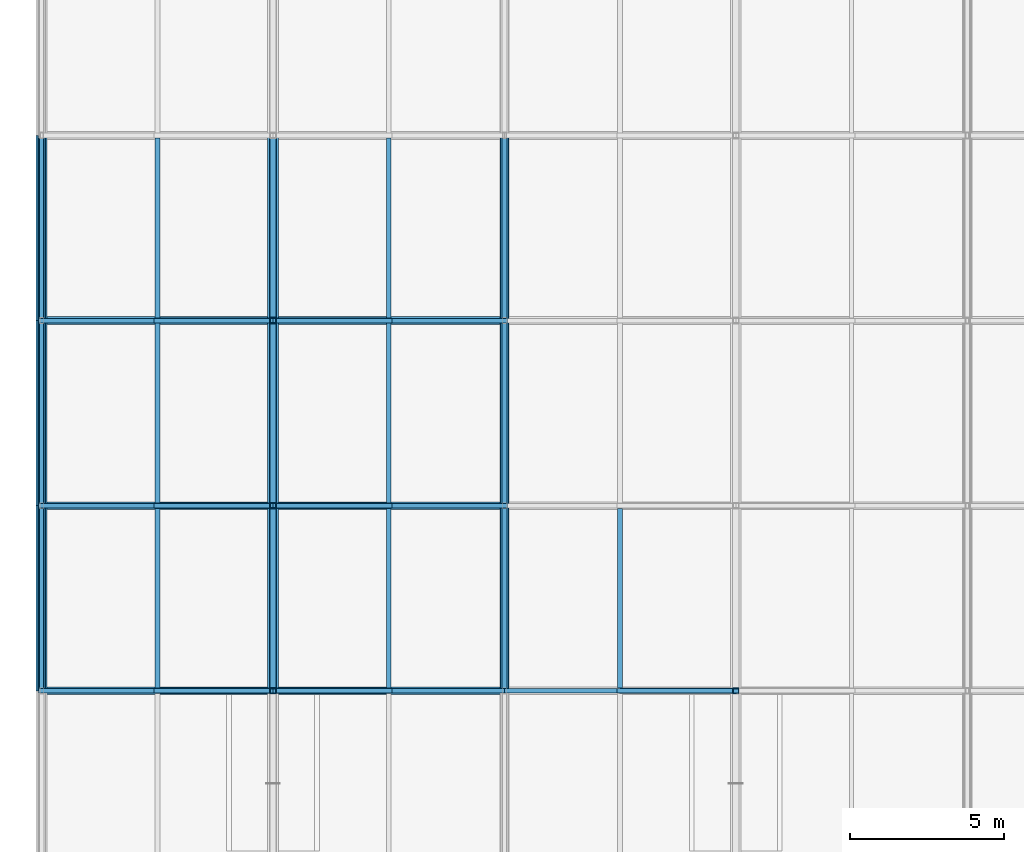
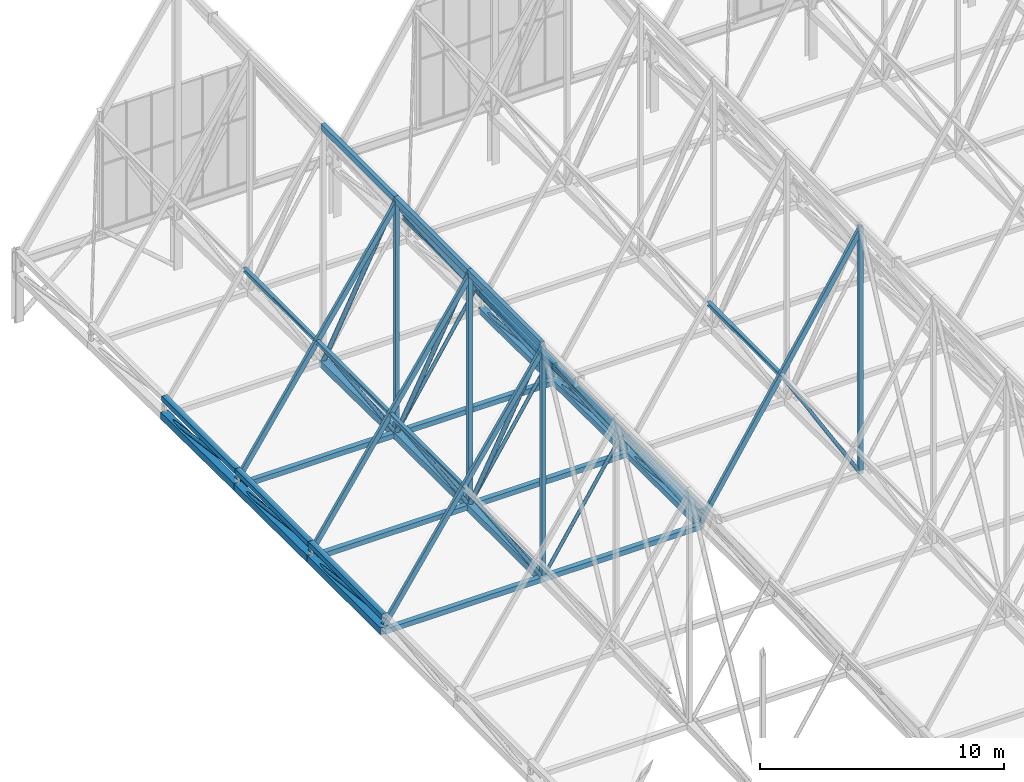
# One storey, part 105 of 324: 55 members, 7 beams.
"""IFC4 building model written with IfcOpenShell, lengths in metres."""

from ifc_helpers import new_model, si_unit, direction, frame, origin, origin_2d, place, context, subcontext, project, spatial, hollow_rectangle, hollow_circle, i_section, extrude, material, material_profile, profile_set, type_object, element, save


model = new_model("IFC4")

# Units and contexts
model_context = context("Model", 3, precision=1e-05, world=origin(), true_north=direction((0.0, 1.0)))
body_context = subcontext(model_context, "Body", "Model", "MODEL_VIEW")
ifc_project = project(units=[si_unit("LENGTHUNIT", "METRE"), si_unit("AREAUNIT", "SQUARE_METRE"), si_unit("VOLUMEUNIT", "CUBIC_METRE"), si_unit("PLANEANGLEUNIT", "RADIAN"), si_unit("MASSUNIT", "GRAM", prefix="KILO")], contexts=[model_context])

# Site, building, storey
site_placement = place(None, origin())
site = spatial("IfcSite", under=ifc_project, at=site_placement, CompositionType="ELEMENT")
building_placement = place(site_placement, origin())
building = spatial("IfcBuilding", under=site, at=building_placement, Name="Solvenia Promenade Tram Depot", CompositionType="ELEMENT")
storey_placement = place(building_placement, frame((0.0, 0.0, 4.5)))
storey = spatial("IfcBuildingStorey", under=building, at=storey_placement, Name="L01", CompositionType="ELEMENT", Elevation=4.5)

# Members
ifc_material_1 = material(Name="Structural steel ASTM A500 Gr. C", Category="steel")
ifc_material_profile_1 = material_profile(ifc_material_1, hollow_circle(Radius=0.109619140625, WallThickness=0.008056640625, at=origin_2d()), Name="CHS219.1x8", Category="steel")
ifc_profile_set_1 = profile_set([ifc_material_profile_1], Name="Structural steel ASTM A500 Gr. C")
member_type_1 = type_object("IfcMemberType", Name="Brace-CHS219x8", PredefinedType="BRACE", material=ifc_profile_set_1)
member_1_placement = place(storey_placement, frame((7.5, 102.0, 2.656005859375), z_axis=(0.0, -0.457277380329, 0.88932412395), x_axis=(1.0, 0.0, 0.0)))
element("IfcMember", 1, at=member_1_placement, inside=storey, type_object=member_type_1, Name="Arched Truss T02 Web Diagonal S06", PredefinedType="BRACE", context=body_context, shape_type="SweptSolid", body=[
    extrude(hollow_circle(Radius=0.109619140625, WallThickness=0.008056640625, at=origin_2d()), origin(), (0.0, 0.0, 1.0), 13.12109375),
])
member_2_placement = place(storey_placement, frame((7.5, 108.0, 2.614013671875), z_axis=(0.0, -0.455979110713, 0.889990477811), x_axis=(1.0, 0.0, 0.0)))
element("IfcMember", 2, at=member_2_placement, inside=storey, type_object=member_type_1, Name="Arched Truss T02 Web Diagonal S07", PredefinedType="BRACE", context=body_context, shape_type="SweptSolid", body=[
    extrude(hollow_circle(Radius=0.109619140625, WallThickness=0.008056640625, at=origin_2d()), origin(), (0.0, 0.0, 1.0), 13.158447265625),
])
member_3_placement = place(storey_placement, frame((7.5, 114.0, 2.5439453125), z_axis=(0.0, -0.453827022194, 0.891089801269), x_axis=(1.0, 0.0, 0.0)))
element("IfcMember", 3, at=member_3_placement, inside=storey, type_object=member_type_1, Name="Arched Truss T02 Web Diagonal S08", PredefinedType="BRACE", context=body_context, shape_type="SweptSolid", body=[
    extrude(hollow_circle(Radius=0.109619140625, WallThickness=0.008056640625, at=origin_2d()), origin(), (0.0, 0.0, 1.0), 13.220947265625),
])
ifc_material_profile_2 = material_profile(ifc_material_1, hollow_rectangle(XDim=0.14990234375, YDim=0.25, WallThickness=0.010009765625, at=origin_2d()), Name="HSS250x150x10", Category="steel")
ifc_profile_set_2 = profile_set([ifc_material_profile_2], Name="Structural steel ASTM A500 Gr. C")
member_type_2 = type_object("IfcMemberType", Name="Chord-HSS250x150x10", PredefinedType="CHORD", material=ifc_profile_set_2)
for number, where, z_axis, x_axis, name in (
    (4, (0.0, 96.0, 2.95703125), (0.557276274528, 0.0, 0.830327136644), (0.0, 1.0, 0.0), "Zigzag Gable 01 West Lower Rafter"),
    (5, (3.75, 96.0, 8.54443359375), (0.557259486914, 0.0, 0.83033840345), (0.0, 1.0, 0.0), "Zigzag Gable 01 West Upper Rafter"),
    (6, (7.5, 96.0, 14.132080078125), (0.557259486914, 0.0, -0.83033840345), (0.0, 1.0, 0.0), "Zigzag Gable 01 East Upper Rafter"),
    (7, (11.25, 96.0, 8.54443359375), (0.557276274528, 0.0, -0.830327136644), (0.0, 1.0, 0.0), "Zigzag Gable 01 East Lower Rafter"),
    (8, (0.0, 102.0, 2.95703125), (0.557276274528, 0.0, 0.830327136644), (0.0, 1.0, 0.0), "Zigzag Gable 01 West Lower Rafter"),
    (9, (3.75, 102.0, 8.54443359375), (0.557259486914, 0.0, 0.83033840345), (0.0, 1.0, 0.0), "Zigzag Gable 01 West Upper Rafter"),
    (10, (7.5, 102.0, 14.132080078125), (0.557259486914, 0.0, -0.83033840345), (0.0, 1.0, 0.0), "Zigzag Gable 01 East Upper Rafter"),
    (11, (11.25, 102.0, 8.54443359375), (0.557276274528, 0.0, -0.830327136644), (0.0, 1.0, 0.0), "Zigzag Gable 01 East Lower Rafter"),
    (12, (0.0, 108.0, 2.95703125), (0.557276274528, 0.0, 0.830327136644), (0.0, 1.0, 0.0), "Zigzag Gable 01 West Lower Rafter"),
    (13, (3.75, 108.0, 8.54443359375), (0.557259486914, 0.0, 0.83033840345), (0.0, 1.0, 0.0), "Zigzag Gable 01 West Upper Rafter"),
    (14, (7.5, 108.0, 14.132080078125), (0.557259486914, 0.0, -0.83033840345), (0.0, 1.0, 0.0), "Zigzag Gable 01 East Upper Rafter"),
    (15, (11.25, 108.0, 8.54443359375), (0.557276274528, 0.0, -0.830327136644), (0.0, 1.0, 0.0), "Zigzag Gable 01 East Lower Rafter"),
):
    element("IfcMember", number, at=place(storey_placement, frame(where, z_axis=z_axis, x_axis=x_axis)), inside=storey, type_object=member_type_2, Name=name, PredefinedType="CHORD", context=body_context, shape_type="SweptSolid", body=[
        extrude(hollow_rectangle(XDim=0.14990234375, YDim=0.25, WallThickness=0.010009765625, at=origin_2d()), origin(), (0.0, 0.0, 1.0), 6.729248046875),
    ])
member_4_placement = place(storey_placement, frame((15.0, 96.0, 2.942626953125), z_axis=(0.533506771487, 0.0, 0.845795793781), x_axis=(0.0, 1.0, 0.0)))
element("IfcMember", 16, at=member_4_placement, inside=storey, type_object=member_type_2, Name="Zigzag Gable 02 West Lower Rafter", PredefinedType="CHORD", context=body_context, shape_type="SweptSolid", body=[
    extrude(hollow_rectangle(XDim=0.14990234375, YDim=0.25, WallThickness=0.010009765625, at=origin_2d()), origin(), (0.0, 0.0, 1.0), 7.029052734375),
])
member_5_placement = place(storey_placement, frame((18.75, 96.0, 8.8876953125), z_axis=(0.533522444929, 0.0, 0.845785907164), x_axis=(0.0, 1.0, 0.0)))
element("IfcMember", 17, at=member_5_placement, inside=storey, type_object=member_type_2, Name="Zigzag Gable 02 West Upper Rafter", PredefinedType="CHORD", context=body_context, shape_type="SweptSolid", body=[
    extrude(hollow_rectangle(XDim=0.14990234375, YDim=0.25, WallThickness=0.010009765625, at=origin_2d()), origin(), (0.0, 0.0, 1.0), 7.02880859375),
])
ifc_material_profile_3 = material_profile(ifc_material_1, hollow_rectangle(XDim=0.25, YDim=0.25, WallThickness=0.010009765625, at=origin_2d()), Name="HSS250x250x10", Category="steel")
ifc_profile_set_3 = profile_set([ifc_material_profile_3], Name="Structural steel ASTM A500 Gr. C")
member_type_3 = type_object("IfcMemberType", Name="Chord-HSS250x250x10", PredefinedType="CHORD", material=ifc_profile_set_3)
for number, where, z_axis, x_axis, name in (
    (18, (0.0, 96.0, 3.3798828125), (0.0, 1.0, 0.0), (-1.0, 0.0, 0.0), "Arched Truss T01 Upper Chord S06"),
    (19, (0.0, 102.0, 3.3798828125), (0.0, 1.0, 0.0), (-1.0, 0.0, 0.0), "Arched Truss T01 Upper Chord S07"),
    (20, (0.0, 108.0, 3.3798828125), (0.0, 1.0, 0.0), (-1.0, 0.0, 0.0), "Arched Truss T01 Upper Chord S08"),
    (21, (15.0, 96.0, 3.3798828125), (0.0, 1.0, 0.0), (-1.0, 0.0, 0.0), "Arched Truss T03 Upper Chord S06"),
    (22, (15.0, 102.0, 3.3798828125), (0.0, 1.0, 0.0), (-1.0, 0.0, 0.0), "Arched Truss T03 Upper Chord S07"),
    (23, (15.0, 108.0, 3.3798828125), (0.0, 1.0, 0.0), (-1.0, 0.0, 0.0), "Arched Truss T03 Upper Chord S08"),
):
    element("IfcMember", number, at=place(storey_placement, frame(where, z_axis=z_axis, x_axis=x_axis)), inside=storey, type_object=member_type_3, Name=name, PredefinedType="CHORD", context=body_context, shape_type="SweptSolid", body=[
        extrude(hollow_rectangle(XDim=0.25, YDim=0.25, WallThickness=0.010009765625, at=origin_2d()), origin(), (0.0, 0.0, 1.0), 6.0),
    ])
for number, where, z_axis, x_axis, name in (
    (24, (0.0, 96.0, 2.669921875), (1.0, 0.0, 0.0), (0.0, 1.0, 0.0), "Bottom-Chord Catenary Lateral Tie 005"),
    (25, (0.0, 102.0, 2.656005859375), (1.0, 0.0, 0.0), (0.0, 1.0, 0.0), "Bottom-Chord Catenary Lateral Tie 006"),
    (26, (0.0, 108.0, 2.614013671875), (1.0, 0.0, 0.0), (0.0, 1.0, 0.0), "Bottom-Chord Catenary Lateral Tie 007"),
):
    element("IfcMember", number, at=place(storey_placement, frame(where, z_axis=z_axis, x_axis=x_axis)), inside=storey, type_object=member_type_3, Name=name, PredefinedType="CHORD", context=body_context, shape_type="SweptSolid", body=[
        extrude(hollow_rectangle(XDim=0.25, YDim=0.25, WallThickness=0.010009765625, at=origin_2d()), origin(), (0.0, 0.0, 1.0), 15.0),
    ])
ifc_material_profile_4 = material_profile(ifc_material_1, hollow_rectangle(XDim=0.199951171875, YDim=0.300048828125, WallThickness=0.012451171875, at=origin_2d()), Name="HSS300x200x12.5", Category="steel")
ifc_profile_set_4 = profile_set([ifc_material_profile_4], Name="Structural steel ASTM A500 Gr. C")
member_type_4 = type_object("IfcMemberType", Name="Chord-HSS300x200x12", PredefinedType="CHORD", material=ifc_profile_set_4)
for number, where, z_axis, x_axis, name in (
    (27, (7.5, 96.0, 14.324951171875), (0.0, 1.0, 0.0), (-1.0, 0.0, 0.0), "Arched Truss T02 Upper Chord S06"),
    (28, (7.5, 102.0, 14.324951171875), (0.0, 1.0, 0.0), (-1.0, 0.0, 0.0), "Arched Truss T02 Upper Chord S07"),
    (29, (7.5, 108.0, 14.324951171875), (0.0, 1.0, 0.0), (-1.0, 0.0, 0.0), "Arched Truss T02 Upper Chord S08"),
):
    element("IfcMember", number, at=place(storey_placement, frame(where, z_axis=z_axis, x_axis=x_axis)), inside=storey, type_object=member_type_4, Name=name, PredefinedType="CHORD", context=body_context, shape_type="SweptSolid", body=[
        extrude(hollow_rectangle(XDim=0.199951171875, YDim=0.300048828125, WallThickness=0.012451171875, at=origin_2d()), origin(), (0.0, 0.0, 1.0), 6.0),
    ])
ifc_material_profile_5 = material_profile(ifc_material_1, hollow_rectangle(XDim=0.300048828125, YDim=0.300048828125, WallThickness=0.012451171875, at=origin_2d()), Name="HSS300x300x12.5", Category="steel")
ifc_profile_set_5 = profile_set([ifc_material_profile_5], Name="Structural steel ASTM A500 Gr. C")
member_type_5 = type_object("IfcMemberType", Name="Chord-HSS300x300x12", PredefinedType="CHORD", material=ifc_profile_set_5)
member_6_placement = place(storey_placement, frame((15.0, 96.0, 2.669921875), z_axis=(0.0, 0.999997310351, -0.002319329699), x_axis=(-1.0, 0.0, 0.0)))
element("IfcMember", 30, at=member_6_placement, inside=storey, type_object=member_type_5, Name="Arched Truss T03 Bottom Chord S06", PredefinedType="CHORD", context=body_context, shape_type="SweptSolid", body=[
    extrude(hollow_rectangle(XDim=0.300048828125, YDim=0.300048828125, WallThickness=0.012451171875, at=origin_2d()), origin(), (0.0, 0.0, 1.0), 6.0),
])
member_7_placement = place(storey_placement, frame((15.0, 102.0, 2.656005859375), z_axis=(0.0, 0.999975510013, -0.006998526519), x_axis=(-1.0, 0.0, 0.0)))
element("IfcMember", 31, at=member_7_placement, inside=storey, type_object=member_type_5, Name="Arched Truss T03 Bottom Chord S07", PredefinedType="CHORD", context=body_context, shape_type="SweptSolid", body=[
    extrude(hollow_rectangle(XDim=0.300048828125, YDim=0.300048828125, WallThickness=0.012451171875, at=origin_2d()), origin(), (0.0, 0.0, 1.0), 6.000244140625),
])
member_8_placement = place(storey_placement, frame((15.0, 108.0, 2.614013671875), z_axis=(0.0, 0.999931818432, -0.011677263667), x_axis=(-1.0, 0.0, 0.0)))
element("IfcMember", 32, at=member_8_placement, inside=storey, type_object=member_type_5, Name="Arched Truss T03 Bottom Chord S08", PredefinedType="CHORD", context=body_context, shape_type="SweptSolid", body=[
    extrude(hollow_rectangle(XDim=0.300048828125, YDim=0.300048828125, WallThickness=0.012451171875, at=origin_2d()), origin(), (0.0, 0.0, 1.0), 6.00048828125),
])
ifc_material_profile_6 = material_profile(ifc_material_1, hollow_rectangle(XDim=0.35009765625, YDim=0.35009765625, WallThickness=0.01611328125, at=origin_2d()), Name="HSS350x350x16", Category="steel")
ifc_profile_set_6 = profile_set([ifc_material_profile_6], Name="Structural steel ASTM A500 Gr. C")
member_type_6 = type_object("IfcMemberType", Name="Chord-HSS350x350x16", PredefinedType="CHORD", material=ifc_profile_set_6)
member_9_placement = place(storey_placement, frame((0.0, 96.0, 2.669921875), z_axis=(0.0, 0.999997310351, -0.002319329699), x_axis=(-1.0, 0.0, 0.0)))
element("IfcMember", 33, at=member_9_placement, inside=storey, type_object=member_type_6, Name="Arched Truss T01 Bottom Chord S06", PredefinedType="CHORD", context=body_context, shape_type="SweptSolid", body=[
    extrude(hollow_rectangle(XDim=0.35009765625, YDim=0.35009765625, WallThickness=0.01611328125, at=origin_2d()), origin(), (0.0, 0.0, 1.0), 6.0),
])
member_10_placement = place(storey_placement, frame((0.0, 102.0, 2.656005859375), z_axis=(0.0, 0.999975510013, -0.006998526519), x_axis=(-1.0, 0.0, 0.0)))
element("IfcMember", 34, at=member_10_placement, inside=storey, type_object=member_type_6, Name="Arched Truss T01 Bottom Chord S07", PredefinedType="CHORD", context=body_context, shape_type="SweptSolid", body=[
    extrude(hollow_rectangle(XDim=0.35009765625, YDim=0.35009765625, WallThickness=0.01611328125, at=origin_2d()), origin(), (0.0, 0.0, 1.0), 6.000244140625),
])
member_11_placement = place(storey_placement, frame((0.0, 108.0, 2.614013671875), z_axis=(0.0, 0.999931818432, -0.011677263667), x_axis=(-1.0, 0.0, 0.0)))
element("IfcMember", 35, at=member_11_placement, inside=storey, type_object=member_type_6, Name="Arched Truss T01 Bottom Chord S08", PredefinedType="CHORD", context=body_context, shape_type="SweptSolid", body=[
    extrude(hollow_rectangle(XDim=0.35009765625, YDim=0.35009765625, WallThickness=0.01611328125, at=origin_2d()), origin(), (0.0, 0.0, 1.0), 6.00048828125),
])
member_12_placement = place(storey_placement, frame((7.5, 96.0, 2.669921875), z_axis=(0.0, 0.999997310351, -0.002319329699), x_axis=(-1.0, 0.0, 0.0)))
element("IfcMember", 36, at=member_12_placement, inside=storey, type_object=member_type_6, Name="Arched Truss T02 Bottom Chord S06", PredefinedType="CHORD", context=body_context, shape_type="SweptSolid", body=[
    extrude(hollow_rectangle(XDim=0.35009765625, YDim=0.35009765625, WallThickness=0.01611328125, at=origin_2d()), origin(), (0.0, 0.0, 1.0), 6.0),
])
member_13_placement = place(storey_placement, frame((7.5, 102.0, 2.656005859375), z_axis=(0.0, 0.999975510013, -0.006998526519), x_axis=(-1.0, 0.0, 0.0)))
element("IfcMember", 37, at=member_13_placement, inside=storey, type_object=member_type_6, Name="Arched Truss T02 Bottom Chord S07", PredefinedType="CHORD", context=body_context, shape_type="SweptSolid", body=[
    extrude(hollow_rectangle(XDim=0.35009765625, YDim=0.35009765625, WallThickness=0.01611328125, at=origin_2d()), origin(), (0.0, 0.0, 1.0), 6.000244140625),
])
member_14_placement = place(storey_placement, frame((7.5, 108.0, 2.614013671875), z_axis=(0.0, 0.999931818432, -0.011677263667), x_axis=(-1.0, 0.0, 0.0)))
element("IfcMember", 38, at=member_14_placement, inside=storey, type_object=member_type_6, Name="Arched Truss T02 Bottom Chord S08", PredefinedType="CHORD", context=body_context, shape_type="SweptSolid", body=[
    extrude(hollow_rectangle(XDim=0.35009765625, YDim=0.35009765625, WallThickness=0.01611328125, at=origin_2d()), origin(), (0.0, 0.0, 1.0), 6.00048828125),
])
ifc_material_profile_7 = material_profile(ifc_material_1, hollow_rectangle(XDim=0.199951171875, YDim=0.199951171875, WallThickness=0.010009765625, at=origin_2d()), Name="HSS200x200x10", Category="steel")
ifc_profile_set_7 = profile_set([ifc_material_profile_7], Name="Structural steel ASTM A500 Gr. C")
member_type_7 = type_object("IfcMemberType", Name="Post-HSS200x200x10", PredefinedType="POST", material=ifc_profile_set_7)
member_15_placement = place(storey_placement, frame((7.5, 96.0, 2.669921875), z_axis=(0.0, 0.0, 1.0), x_axis=(1.0, 0.0, 0.0)))
element("IfcMember", 39, at=member_15_placement, inside=storey, type_object=member_type_7, Name="Arched Truss T02 Web Post S05", PredefinedType="POST", context=body_context, shape_type="SweptSolid", body=[
    extrude(hollow_rectangle(XDim=0.199951171875, YDim=0.199951171875, WallThickness=0.010009765625, at=origin_2d()), origin(), (0.0, 0.0, 1.0), 11.655029296875),
])
member_16_placement = place(storey_placement, frame((7.5, 102.0, 2.656005859375), z_axis=(0.0, 0.0, 1.0), x_axis=(1.0, 0.0, 0.0)))
element("IfcMember", 40, at=member_16_placement, inside=storey, type_object=member_type_7, Name="Arched Truss T02 Web Post S06", PredefinedType="POST", context=body_context, shape_type="SweptSolid", body=[
    extrude(hollow_rectangle(XDim=0.199951171875, YDim=0.199951171875, WallThickness=0.010009765625, at=origin_2d()), origin(), (0.0, 0.0, 1.0), 11.6689453125),
])
member_17_placement = place(storey_placement, frame((7.5, 108.0, 2.614013671875), z_axis=(0.0, 0.0, 1.0), x_axis=(1.0, 0.0, 0.0)))
element("IfcMember", 41, at=member_17_placement, inside=storey, type_object=member_type_7, Name="Arched Truss T02 Web Post S07", PredefinedType="POST", context=body_context, shape_type="SweptSolid", body=[
    extrude(hollow_rectangle(XDim=0.199951171875, YDim=0.199951171875, WallThickness=0.010009765625, at=origin_2d()), origin(), (0.0, 0.0, 1.0), 11.7109375),
])
member_18_placement = place(storey_placement, frame((22.5, 96.0, 2.669921875), z_axis=(0.0, 0.0, 1.0), x_axis=(1.0, 0.0, 0.0)))
element("IfcMember", 42, at=member_18_placement, inside=storey, type_object=member_type_7, Name="Arched Truss T04 Web Post S05", PredefinedType="POST", context=body_context, shape_type="SweptSolid", body=[
    extrude(hollow_rectangle(XDim=0.199951171875, YDim=0.199951171875, WallThickness=0.010009765625, at=origin_2d()), origin(), (0.0, 0.0, 1.0), 12.3701171875),
])

# Beams
ifc_material_2 = material(Name="Structural steel ASTM A992 Gr. 50", Category="steel")
ifc_material_profile_8 = material_profile(ifc_material_2, i_section(OverallWidth=0.133056640625, OverallDepth=0.20703125, WebThickness=0.005859375, FlangeThickness=0.00830078125, FilletRadius=0.009033203125, at=origin_2d()), Name="W200x27", Category="steel")
ifc_profile_set_8 = profile_set([ifc_material_profile_8], Name="Structural steel ASTM A992 Gr. 50")
beam_type_1 = type_object("IfcBeamType", Name="Purlin-W200x27", PredefinedType="USERDEFINED", material=ifc_profile_set_8)
for number, where, z_axis, x_axis, name in (
    (43, (11.25, 96.0849609375, 8.551025390625), (0.0, 1.0, 0.0), (-1.0, 0.0, 0.0), "Gable Roof Purlin E-0012"),
    (44, (11.25, 102.0849609375, 8.551025390625), (0.0, 1.0, 0.0), (-1.0, 0.0, 0.0), "Gable Roof Purlin E-0014"),
    (45, (11.25, 108.0849609375, 8.551025390625), (0.0, 1.0, 0.0), (-1.0, 0.0, 0.0), "Gable Roof Purlin E-0016"),
):
    element("IfcBeam", number, at=place(storey_placement, frame(where, z_axis=z_axis, x_axis=x_axis)), inside=storey, type_object=beam_type_1, Name=name, ObjectType="PURLIN", PredefinedType="USERDEFINED", context=body_context, shape_type="SweptSolid", body=[
        extrude(i_section(OverallWidth=0.133056640625, OverallDepth=0.20703125, WebThickness=0.005859375, FlangeThickness=0.00830078125, FilletRadius=0.009033203125, at=origin_2d()), origin(), (0.0, 0.0, 1.0), 5.830078125),
    ])
ifc_material_profile_9 = material_profile(ifc_material_2, i_section(OverallWidth=0.1650390625, OverallDepth=0.200927734375, WebThickness=0.006103515625, FlangeThickness=0.01025390625, FilletRadius=0.010009765625, at=origin_2d()), Name="W200x36", Category="steel")
ifc_profile_set_9 = profile_set([ifc_material_profile_9], Name="Structural steel ASTM A992 Gr. 50")
beam_type_2 = type_object("IfcBeamType", Name="Purlin-W200x36", PredefinedType="USERDEFINED", material=ifc_profile_set_9)
for number, where, z_axis, x_axis, name in (
    (46, (3.75, 96.0849609375, 8.551025390625), (0.0, 1.0, 0.0), (-1.0, 0.0, 0.0), "Gable Roof Purlin W-0011"),
    (47, (3.75, 102.0849609375, 8.551025390625), (0.0, 1.0, 0.0), (-1.0, 0.0, 0.0), "Gable Roof Purlin W-0013"),
    (48, (3.75, 108.0849609375, 8.551025390625), (0.0, 1.0, 0.0), (-1.0, 0.0, 0.0), "Gable Roof Purlin W-0015"),
    (49, (18.75, 96.0849609375, 8.8857421875), (0.0, 1.0, 0.0), (-1.0, 0.0, 0.0), "Gable Roof Purlin W-0031"),
):
    element("IfcBeam", number, at=place(storey_placement, frame(where, z_axis=z_axis, x_axis=x_axis)), inside=storey, type_object=beam_type_2, Name=name, ObjectType="PURLIN", PredefinedType="USERDEFINED", context=body_context, shape_type="SweptSolid", body=[
        extrude(i_section(OverallWidth=0.1650390625, OverallDepth=0.200927734375, WebThickness=0.006103515625, FlangeThickness=0.01025390625, FilletRadius=0.010009765625, at=origin_2d()), origin(), (0.0, 0.0, 1.0), 5.830078125),
    ])

# Members
ifc_material_profile_10 = material_profile(ifc_material_1, hollow_circle(Radius=0.084228515625, WallThickness=0.008056640625, at=origin_2d()), Name="CHS168.3x8", Category="steel")
ifc_profile_set_10 = profile_set([ifc_material_profile_10], Name="Structural steel ASTM A500 Gr. C")
member_type_8 = type_object("IfcMemberType", Name="WebDiag-CHS168x8", PredefinedType="BRACE", material=ifc_profile_set_10)
member_19_placement = place(storey_placement, frame((0.0, 102.0, 2.656005859375), z_axis=(0.0, -0.992800749036, 0.119777596879), x_axis=(1.0, 0.0, 0.0)))
element("IfcMember", 50, at=member_19_placement, inside=storey, type_object=member_type_8, Name="Arched Truss T01 Web Diagonal S06", PredefinedType="BRACE", context=body_context, shape_type="SweptSolid", body=[
    extrude(hollow_circle(Radius=0.084228515625, WallThickness=0.008056640625, at=origin_2d()), origin(), (0.0, 0.0, 1.0), 6.04345703125),
])
member_20_placement = place(storey_placement, frame((0.0, 108.0, 2.614013671875), z_axis=(0.0, -0.991951613347, 0.126617521609), x_axis=(1.0, 0.0, 0.0)))
element("IfcMember", 51, at=member_20_placement, inside=storey, type_object=member_type_8, Name="Arched Truss T01 Web Diagonal S07", PredefinedType="BRACE", context=body_context, shape_type="SweptSolid", body=[
    extrude(hollow_circle(Radius=0.084228515625, WallThickness=0.008056640625, at=origin_2d()), origin(), (0.0, 0.0, 1.0), 6.048583984375),
])
member_21_placement = place(storey_placement, frame((0.0, 114.0, 2.5439453125), z_axis=(0.0, -0.990433608353, 0.13799009908), x_axis=(1.0, 0.0, 0.0)))
element("IfcMember", 52, at=member_21_placement, inside=storey, type_object=member_type_8, Name="Arched Truss T01 Web Diagonal S08", PredefinedType="BRACE", context=body_context, shape_type="SweptSolid", body=[
    extrude(hollow_circle(Radius=0.084228515625, WallThickness=0.008056640625, at=origin_2d()), origin(), (0.0, 0.0, 1.0), 6.057861328125),
])
member_22_placement = place(storey_placement, frame((15.0, 102.0, 2.656005859375), z_axis=(0.0, -0.992800749036, 0.119777596879), x_axis=(1.0, 0.0, 0.0)))
element("IfcMember", 53, at=member_22_placement, inside=storey, type_object=member_type_8, Name="Arched Truss T03 Web Diagonal S06", PredefinedType="BRACE", context=body_context, shape_type="SweptSolid", body=[
    extrude(hollow_circle(Radius=0.084228515625, WallThickness=0.008056640625, at=origin_2d()), origin(), (0.0, 0.0, 1.0), 6.04345703125),
])
member_23_placement = place(storey_placement, frame((15.0, 108.0, 2.614013671875), z_axis=(0.0, -0.991951613347, 0.126617521609), x_axis=(1.0, 0.0, 0.0)))
element("IfcMember", 54, at=member_23_placement, inside=storey, type_object=member_type_8, Name="Arched Truss T03 Web Diagonal S07", PredefinedType="BRACE", context=body_context, shape_type="SweptSolid", body=[
    extrude(hollow_circle(Radius=0.084228515625, WallThickness=0.008056640625, at=origin_2d()), origin(), (0.0, 0.0, 1.0), 6.048583984375),
])
member_24_placement = place(storey_placement, frame((15.0, 114.0, 2.5439453125), z_axis=(0.0, -0.990433608353, 0.13799009908), x_axis=(1.0, 0.0, 0.0)))
element("IfcMember", 55, at=member_24_placement, inside=storey, type_object=member_type_8, Name="Arched Truss T03 Web Diagonal S08", PredefinedType="BRACE", context=body_context, shape_type="SweptSolid", body=[
    extrude(hollow_circle(Radius=0.084228515625, WallThickness=0.008056640625, at=origin_2d()), origin(), (0.0, 0.0, 1.0), 6.057861328125),
])
for number, where, z_axis, x_axis, name in (
    (56, (7.5, 96.0, 2.669921875), (-0.538067226673, 0.0, 0.842901927617), (0.0, -1.0, 0.0), "Zigzag Gable 01 West Knee Strut"),
    (57, (7.5, 96.0, 2.669921875), (0.538067226673, 0.0, 0.842901927617), (0.0, 1.0, 0.0), "Zigzag Gable 01 East Knee Strut"),
):
    element("IfcMember", number, at=place(storey_placement, frame(where, z_axis=z_axis, x_axis=x_axis)), inside=storey, type_object=member_type_8, Name=name, PredefinedType="BRACE", context=body_context, shape_type="SweptSolid", body=[
        extrude(hollow_circle(Radius=0.084228515625, WallThickness=0.008056640625, at=origin_2d()), origin(), (0.0, 0.0, 1.0), 6.969482421875),
    ])
for number, where, z_axis, x_axis, name in (
    (58, (7.5, 102.0, 2.656005859375), (-0.537162844813, 0.0, 0.843478558206), (0.0, -1.0, 0.0), "Zigzag Gable 01 West Knee Strut"),
    (59, (7.5, 102.0, 2.656005859375), (0.537162844813, 0.0, 0.843478558206), (0.0, 1.0, 0.0), "Zigzag Gable 01 East Knee Strut"),
):
    element("IfcMember", number, at=place(storey_placement, frame(where, z_axis=z_axis, x_axis=x_axis)), inside=storey, type_object=member_type_8, Name=name, PredefinedType="BRACE", context=body_context, shape_type="SweptSolid", body=[
        extrude(hollow_circle(Radius=0.084228515625, WallThickness=0.008056640625, at=origin_2d()), origin(), (0.0, 0.0, 1.0), 6.981201171875),
    ])
for number, where, z_axis, x_axis, name in (
    (60, (7.5, 108.0, 2.614013671875), (-0.534448484902, 0.0, 0.845201051221), (0.0, -1.0, 0.0), "Zigzag Gable 01 West Knee Strut"),
    (61, (7.5, 108.0, 2.614013671875), (0.534448484902, 0.0, 0.845201051221), (0.0, 1.0, 0.0), "Zigzag Gable 01 East Knee Strut"),
):
    element("IfcMember", number, at=place(storey_placement, frame(where, z_axis=z_axis, x_axis=x_axis)), inside=storey, type_object=member_type_8, Name=name, PredefinedType="BRACE", context=body_context, shape_type="SweptSolid", body=[
        extrude(hollow_circle(Radius=0.084228515625, WallThickness=0.008056640625, at=origin_2d()), origin(), (0.0, 0.0, 1.0), 7.0166015625),
    ])
member_25_placement = place(storey_placement, frame((22.5, 96.0, 2.669921875), z_axis=(-0.516452471472, 0.0, 0.856315855693), x_axis=(0.0, -1.0, 0.0)))
element("IfcMember", 62, at=member_25_placement, inside=storey, type_object=member_type_8, Name="Zigzag Gable 02 West Knee Strut", PredefinedType="BRACE", context=body_context, shape_type="SweptSolid", body=[
    extrude(hollow_circle(Radius=0.084228515625, WallThickness=0.008056640625, at=origin_2d()), origin(), (0.0, 0.0, 1.0), 7.260986328125),
])

save(model, "model.ifc")
